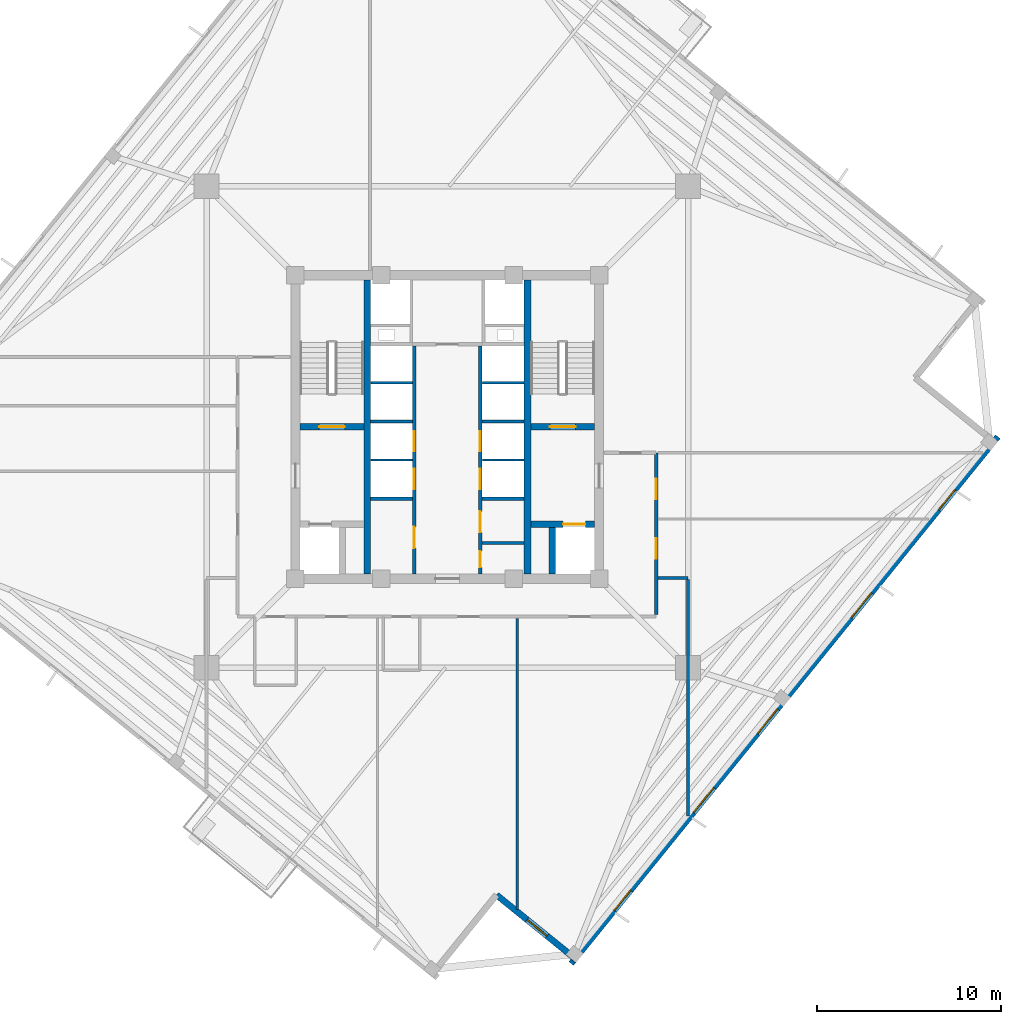
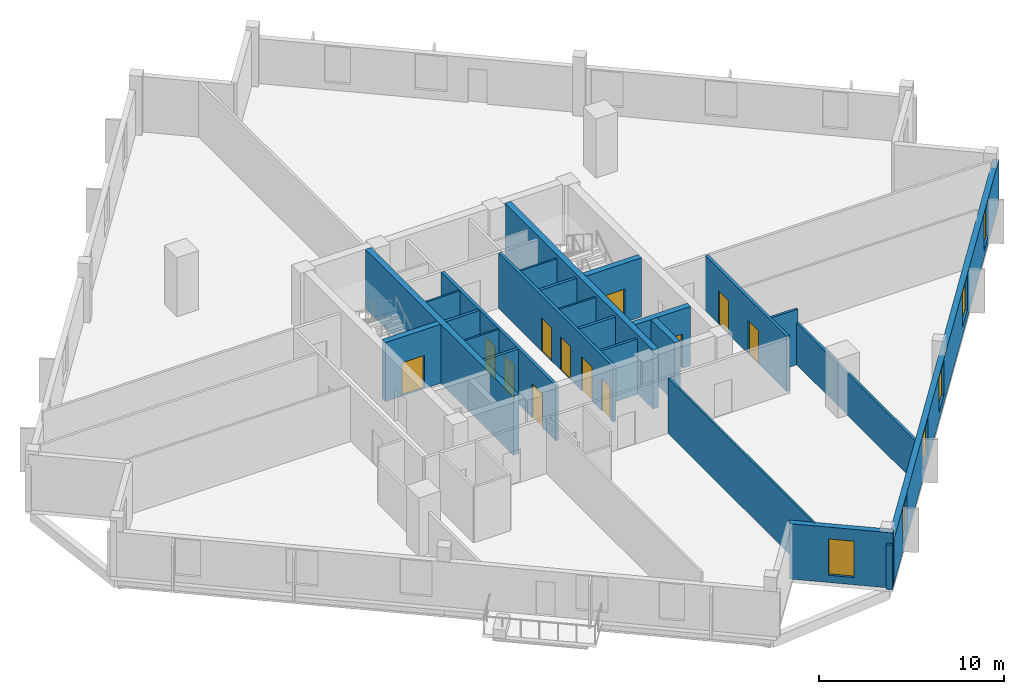
# One storey, part 4 of 10: 23 walls, 12 doors, 6 windows, 18 openings.
"""IFC4 building model written with IfcOpenShell, lengths in metres."""

from ifc_helpers import new_model, si_unit, direction, frame, frame_2d, origin, place, context, subcontext, project, spatial, rectangle, extrude, source, transform, mapped, material, layer, layer_set, type_object, element, fill, save


model = new_model("IFC4")

# Units and contexts
model_context = context("Model", 3, precision=1e-05, world=origin(), true_north=direction((0.0, 1.0)))
body_context = subcontext(model_context, "Body", "Model", "MODEL_VIEW")
ifc_project = project(units=[si_unit("LENGTHUNIT", "METRE"), si_unit("AREAUNIT", "SQUARE_METRE"), si_unit("VOLUMEUNIT", "CUBIC_METRE"), si_unit("PLANEANGLEUNIT", "RADIAN"), si_unit("MASSUNIT", "GRAM", prefix="KILO"), si_unit("THERMODYNAMICTEMPERATUREUNIT", "KELVIN")], contexts=[model_context])

# Site, building, storey
site_placement = place(None, origin())
site = spatial("IfcSite", under=ifc_project, at=site_placement, CompositionType="ELEMENT")
building_placement = place(site_placement, origin())
building = spatial("IfcBuilding", under=site, at=building_placement, Name="Kosmvard Interchange Tower", CompositionType="ELEMENT")
storey_placement = place(building_placement, frame((0.0, 0.0, 217.300048828125)))
storey = spatial("IfcBuildingStorey", under=building, at=storey_placement, Name="L52", CompositionType="ELEMENT", Elevation=217.300048828125)

# Walls
ifc_material_1 = material(Name="Acoustic gypsum partition system")
ifc_layer_1 = layer(ifc_material_1, 0.14990234375, Name="Acoustic gypsum partition system")
ifc_layer_set_1 = layer_set([ifc_layer_1], Name="Acoustic gypsum partition system")
wall_type_1 = type_object("IfcWallType", Name="Acoustic Suite & Meeting Partition 150", PredefinedType="PARTITIONING", material=ifc_layer_set_1)
wall_1_placement = place(storey_placement, frame((11.445068359375, -8.199951171875, 0.0), z_axis=(0.0, 0.0, 1.0), x_axis=(1.0, 0.0, 0.0)))
element("IfcWall", 1, at=wall_1_placement, inside=storey, type_object=wall_type_1, Name="L52 Room Partition 10.1", PredefinedType="PARTITIONING", context=body_context, shape_type="SweptSolid", body=[
    extrude(rectangle(XDim=1.635986328125, YDim=0.14990234375, at=frame_2d((0.81787109375, 0.0))), origin(), (0.0, 0.0, 1.0), 3.659912109375),
])
wall_2_placement = place(storey_placement, frame((13.0810546875, -8.27490234375, 0.0), z_axis=(0.0, 0.0, 1.0), x_axis=(0.0, -1.0, 0.0)))
element("IfcWall", 2, at=wall_2_placement, inside=storey, type_object=wall_type_1, Name="L52 Room Partition 11.1", PredefinedType="PARTITIONING", context=body_context, shape_type="SweptSolid", body=[
    extrude(rectangle(XDim=12.87353515625, YDim=0.14990234375, at=frame_2d((6.436767578125, 0.0))), origin(), (0.0, 0.0, 1.0), 2.760009765625),
])
ifc_material_2 = material(Name="Fire-rated gypsum partition system")
ifc_layer_2 = layer(ifc_material_2, 0.159912109375, Name="Fire-rated gypsum partition system")
ifc_layer_set_2 = layer_set([ifc_layer_2], Name="Fire-rated gypsum partition system")
wall_type_2 = type_object("IfcWallType", Name="Core Compartment & Shuttle Lobby Partition 160", PredefinedType="PARTITIONING", material=ifc_layer_set_2)
wall_3_placement = place(storey_placement, frame((1.889892578125, -6.300048828125, 0.0), z_axis=(0.0, 0.0, 1.0), x_axis=(1.0, 0.0, 0.0)))
element("IfcWall", 3, at=wall_3_placement, inside=storey, type_object=wall_type_2, Name="L52 Reclaimed Split E", PredefinedType="PARTITIONING", context=body_context, shape_type="SweptSolid", body=[
    extrude(rectangle(XDim=2.280029296875, YDim=0.159912109375, at=frame_2d((1.14013671875, 0.0))), origin(), (0.0, 0.0, 1.0), 3.659912109375),
])

# Wall, openings, doors
ifc_layer_3 = layer(ifc_material_2, 0.179931640625, Name="Fire-rated gypsum partition system")
ifc_layer_set_3 = layer_set([ifc_layer_3], Name="Fire-rated gypsum partition system")
wall_type_3 = type_object("IfcWallType", Name="Corridor & Hotel Compartment Partition 180", PredefinedType="PARTITIONING", material=ifc_layer_set_3)
wall_4_placement = place(storey_placement, frame((-1.7900390625, -7.97998046875, 0.0), z_axis=(0.0, 0.0, 1.0), x_axis=(0.0, 1.0, 0.0)))
wall_4 = element("IfcWall", 4, at=wall_4_placement, inside=storey, type_object=wall_type_3, Name="L52 West Lift Bank Front Wall", PredefinedType="PARTITIONING", context=body_context, shape_type="SweptSolid", body=[
    extrude(rectangle(XDim=12.3798828125, YDim=0.179931640625, at=frame_2d((6.18994140625, 0.0))), origin(), (0.0, 0.0, 1.0), 3.659912109375),
])
opening_1_placement = place(wall_4_placement, frame((4.60009765625, 0.0, 0.0)))
opening_1 = element("IfcOpeningElement", 5, at=opening_1_placement, cuts=wall_4, Name="Opening LD-PL-M1-L52", PredefinedType="OPENING", context=body_context, shape_type="SweptSolid", body=[
    extrude(rectangle(XDim=1.10009765625, YDim=2.199951171875, at=frame_2d((0.550048828125, 1.10009765625))), frame((0.0, 0.10009765625, 0.0), z_axis=(0.0, -1.0, 0.0), x_axis=(1.0, 0.0, 0.0)), (0.0, 0.0, 1.0), 0.199951171875),
])
opening_2_placement = place(wall_4_placement, frame((6.659912109375, 0.0, 0.0)))
opening_2 = element("IfcOpeningElement", 6, at=opening_2_placement, cuts=wall_4, Name="Opening LD-PL-M2-L52", PredefinedType="OPENING", context=body_context, shape_type="SweptSolid", body=[
    extrude(rectangle(XDim=1.10009765625, YDim=2.199951171875, at=frame_2d((0.550048828125, 1.10009765625))), frame((0.0, 0.10009765625, 0.0), z_axis=(0.0, -1.0, 0.0), x_axis=(1.0, 0.0, 0.0)), (0.0, 0.0, 1.0), 0.199951171875),
])
opening_3_placement = place(wall_4_placement, frame((1.39990234375, 0.0, 0.0)))
opening_3 = element("IfcOpeningElement", 7, at=opening_3_placement, cuts=wall_4, Name="Opening L52-CD1", PredefinedType="OPENING", context=body_context, shape_type="SweptSolid", body=[
    extrude(rectangle(XDim=1.14990234375, YDim=2.25, at=frame_2d((0.574951171875, 1.125))), frame((0.0, 0.10009765625, 0.0), z_axis=(0.0, -1.0, 0.0), x_axis=(1.0, 0.0, 0.0)), (0.0, 0.0, 1.0), 0.199951171875),
])
ifc_material_3 = material(Name="Painted fire-rated steel leaf", Category="steel")
door_type_1 = type_object("IfcDoorType", Name="Plant & Riser Fire Door 1150x2250 EI60", OperationType="NOTDEFINED", PredefinedType="DOOR", material=ifc_material_3)
shared_shape_1 = source(origin(), body_context, "Body", "SweptSolid", [
    extrude(rectangle(XDim=1.14990234375, YDim=2.25, at=frame_2d((0.574951171875, 1.125))), frame((0.0, 0.02490234375, 0.0), z_axis=(0.0, -1.0, 0.0), x_axis=(1.0, 0.0, 0.0)), (0.0, 0.0, 1.0), 0.050048828125),
])
door_1_placement = place(opening_3_placement, origin())
door_1 = element("IfcDoor", 8, at=door_1_placement, inside=storey, type_object=door_type_1, Name="L52 Core Server Door", OperationType="SINGLE_SWING_LEFT", OverallHeight=2.25, OverallWidth=1.14990234375, PredefinedType="DOOR", context=body_context, shape_type="MappedRepresentation", body=[
    mapped(shared_shape_1, transform((0.0, 0.0, 0.0), scale=1.0)),
])
fill(opening_3, door_1)
ifc_material_4 = material(Name="Brushed stainless steel sliding leaf", Category="steel")
door_type_2 = type_object("IfcDoorType", Name="Passenger Lift Sliding Landing Door 1100x2200 EI60", OperationType="DOUBLE_DOOR_SLIDING", PredefinedType="DOOR", material=ifc_material_4)
shared_shape_2 = source(origin(), body_context, "Body", "SweptSolid", [
    extrude(rectangle(XDim=1.10009765625, YDim=2.199951171875, at=frame_2d((0.550048828125, 1.10009765625))), frame((0.0, 0.02490234375, 0.0), z_axis=(0.0, -1.0, 0.0), x_axis=(1.0, 0.0, 0.0)), (0.0, 0.0, 1.0), 0.050048828125),
])
door_2_placement = place(opening_1_placement, frame((1.10009765625, 0.0, 0.0), z_axis=(0.0, 0.0, 1.0), x_axis=(-1.0, 0.0, 0.0)))
door_2 = element("IfcDoor", 9, at=door_2_placement, inside=storey, type_object=door_type_2, Name="Lift PL-M1 Landing Door L52", OperationType="DOUBLE_DOOR_SLIDING", OverallHeight=2.199951171875, OverallWidth=1.10009765625, PredefinedType="DOOR", context=body_context, shape_type="MappedRepresentation", body=[
    mapped(shared_shape_2, transform((0.0, 0.0, 0.0), scale=1.0)),
])
fill(opening_1, door_2)
door_3_placement = place(opening_2_placement, frame((1.10009765625, 0.0, 0.0), z_axis=(0.0, 0.0, 1.0), x_axis=(-1.0, 0.0, 0.0)))
door_3 = element("IfcDoor", 10, at=door_3_placement, inside=storey, type_object=door_type_2, Name="Lift PL-M2 Landing Door L52", OperationType="DOUBLE_DOOR_SLIDING", OverallHeight=2.199951171875, OverallWidth=1.10009765625, PredefinedType="DOOR", context=body_context, shape_type="MappedRepresentation", body=[
    mapped(shared_shape_2, transform((0.0, 0.0, 0.0), scale=1.0)),
])
fill(opening_2, door_3)

wall_5_placement = place(storey_placement, frame((1.7900390625, -7.97998046875, 0.0), z_axis=(0.0, 0.0, 1.0), x_axis=(0.0, 1.0, 0.0)))
wall_5 = element("IfcWall", 11, at=wall_5_placement, inside=storey, type_object=wall_type_3, Name="L52 East Lift Bank Front Wall", PredefinedType="PARTITIONING", context=body_context, shape_type="SweptSolid", body=[
    extrude(rectangle(XDim=12.3798828125, YDim=0.179931640625, at=frame_2d((6.18994140625, 0.0))), origin(), (0.0, 0.0, 1.0), 3.659912109375),
])
opening_4_placement = place(wall_5_placement, frame((4.60009765625, 0.0, 0.0)))
opening_4 = element("IfcOpeningElement", 12, at=opening_4_placement, cuts=wall_5, Name="Opening LD-PL-M3-L52", PredefinedType="OPENING", context=body_context, shape_type="SweptSolid", body=[
    extrude(rectangle(XDim=1.10009765625, YDim=2.199951171875, at=frame_2d((0.550048828125, 1.10009765625))), frame((0.0, 0.10009765625, 0.0), z_axis=(0.0, -1.0, 0.0), x_axis=(1.0, 0.0, 0.0)), (0.0, 0.0, 1.0), 0.199951171875),
])
opening_5_placement = place(wall_5_placement, frame((6.659912109375, 0.0, 0.0)))
opening_5 = element("IfcOpeningElement", 13, at=opening_5_placement, cuts=wall_5, Name="Opening LD-PL-M4-L52", PredefinedType="OPENING", context=body_context, shape_type="SweptSolid", body=[
    extrude(rectangle(XDim=1.10009765625, YDim=2.199951171875, at=frame_2d((0.550048828125, 1.10009765625))), frame((0.0, 0.10009765625, 0.0), z_axis=(0.0, -1.0, 0.0), x_axis=(1.0, 0.0, 0.0)), (0.0, 0.0, 1.0), 0.199951171875),
])
opening_6_placement = place(wall_5_placement, frame((0.35009765625, 0.0, 0.0)))
opening_6 = element("IfcOpeningElement", 14, at=opening_6_placement, cuts=wall_5, Name="Opening L52-CD2", PredefinedType="OPENING", context=body_context, shape_type="SweptSolid", body=[
    extrude(rectangle(XDim=0.8798828125, YDim=2.10009765625, at=frame_2d((0.43994140625, 1.050048828125))), frame((0.0, 0.10009765625, 0.0), z_axis=(0.0, -1.0, 0.0), x_axis=(1.0, 0.0, 0.0)), (0.0, 0.0, 1.0), 0.199951171875),
])
opening_7_placement = place(wall_5_placement, frame((2.25, 0.0, 0.0)))
opening_7 = element("IfcOpeningElement", 15, at=opening_7_placement, cuts=wall_5, Name="Opening L52-CD3", PredefinedType="OPENING", context=body_context, shape_type="SweptSolid", body=[
    extrude(rectangle(XDim=1.14990234375, YDim=2.25, at=frame_2d((0.574951171875, 1.125))), frame((0.0, 0.10009765625, 0.0), z_axis=(0.0, -1.0, 0.0), x_axis=(1.0, 0.0, 0.0)), (0.0, 0.0, 1.0), 0.199951171875),
])
door_4_placement = place(opening_7_placement, frame((1.14990234375, 0.0, 0.0), z_axis=(0.0, 0.0, 1.0), x_axis=(-1.0, 0.0, 0.0)))
door_4 = element("IfcDoor", 16, at=door_4_placement, inside=storey, type_object=door_type_1, Name="L52 Core Pantry Door", OperationType="SINGLE_SWING_LEFT", OverallHeight=2.25, OverallWidth=1.14990234375, PredefinedType="DOOR", context=body_context, shape_type="MappedRepresentation", body=[
    mapped(shared_shape_1, transform((0.0, 0.0, 0.0), scale=1.0)),
])
fill(opening_7, door_4)
door_5_placement = place(opening_4_placement, origin())
door_5 = element("IfcDoor", 17, at=door_5_placement, inside=storey, type_object=door_type_2, Name="Lift PL-M3 Landing Door L52", OperationType="DOUBLE_DOOR_SLIDING", OverallHeight=2.199951171875, OverallWidth=1.10009765625, PredefinedType="DOOR", context=body_context, shape_type="MappedRepresentation", body=[
    mapped(shared_shape_2, transform((0.0, 0.0, 0.0), scale=1.0)),
])
fill(opening_4, door_5)
door_6_placement = place(opening_5_placement, origin())
door_6 = element("IfcDoor", 18, at=door_6_placement, inside=storey, type_object=door_type_2, Name="Lift PL-M4 Landing Door L52", OperationType="DOUBLE_DOOR_SLIDING", OverallHeight=2.199951171875, OverallWidth=1.10009765625, PredefinedType="DOOR", context=body_context, shape_type="MappedRepresentation", body=[
    mapped(shared_shape_2, transform((0.0, 0.0, 0.0), scale=1.0)),
])
fill(opening_5, door_6)
ifc_material_5 = material(Name="Painted fire-rated timber leaf", Category="wood")
door_type_3 = type_object("IfcDoorType", Name="Core Cupboard Fire Door 880x2100 EI30", OperationType="NOTDEFINED", PredefinedType="DOOR", material=ifc_material_5)
shared_shape_3 = source(origin(), body_context, "Body", "SweptSolid", [
    extrude(rectangle(XDim=0.8798828125, YDim=2.10009765625, at=frame_2d((0.43994140625, 1.050048828125))), frame((0.0, 0.02490234375, 0.0), z_axis=(0.0, -1.0, 0.0), x_axis=(1.0, 0.0, 0.0)), (0.0, 0.0, 1.0), 0.050048828125),
])
door_7_placement = place(opening_6_placement, frame((0.8798828125, 0.0, 0.0), z_axis=(0.0, 0.0, 1.0), x_axis=(-1.0, 0.0, 0.0)))
door_7 = element("IfcDoor", 19, at=door_7_placement, inside=storey, type_object=door_type_3, Name="L52 Core Cleaner Door", OperationType="SINGLE_SWING_RIGHT", OverallHeight=2.10009765625, OverallWidth=0.8798828125, PredefinedType="DOOR", context=body_context, shape_type="MappedRepresentation", body=[
    mapped(shared_shape_3, transform((0.0, 0.0, 0.0), scale=1.0)),
])
fill(opening_6, door_7)

wall_6_placement = place(storey_placement, frame((11.35009765625, -10.199951171875, 0.0), z_axis=(0.0, 0.0, 1.0), x_axis=(0.0, 1.0, 0.0)))
wall_6 = element("IfcWall", 20, at=wall_6_placement, inside=storey, type_object=wall_type_3, Name="L52 Corridor Wall CE", PredefinedType="PARTITIONING", context=body_context, shape_type="SweptSolid", body=[
    extrude(rectangle(XDim=8.800048828125, YDim=0.179931640625, at=frame_2d((4.39990234375, 0.0))), origin(), (0.0, 0.0, 1.0), 3.659912109375),
])
opening_8_placement = place(wall_6_placement, frame((3.050048828125, 0.0, 0.0)))
opening_8 = element("IfcOpeningElement", 21, at=opening_8_placement, cuts=wall_6, Name="Opening L52-D11", PredefinedType="OPENING", context=body_context, shape_type="SweptSolid", body=[
    extrude(rectangle(XDim=1.10009765625, YDim=2.199951171875, at=frame_2d((0.550048828125, 1.10009765625))), frame((0.0, 0.10009765625, 0.0), z_axis=(0.0, -1.0, 0.0), x_axis=(1.0, 0.0, 0.0)), (0.0, 0.0, 1.0), 0.199951171875),
])
opening_9_placement = place(wall_6_placement, frame((6.28564453125, 0.0, 0.0)))
opening_9 = element("IfcOpeningElement", 22, at=opening_9_placement, cuts=wall_6, Name="Opening L52-D12", PredefinedType="OPENING", context=body_context, shape_type="SweptSolid", body=[
    extrude(rectangle(XDim=1.10009765625, YDim=2.199951171875, at=frame_2d((0.550048828125, 1.10009765625))), frame((0.0, 0.10009765625, 0.0), z_axis=(0.0, -1.0, 0.0), x_axis=(1.0, 0.0, 0.0)), (0.0, 0.0, 1.0), 0.199951171875),
])
ifc_material_6 = material(Name="Engineered oak fire-rated timber", Category="wood")
door_type_4 = type_object("IfcDoorType", Name="Office Suite Entrance Door 1100x2200 FD30S", OperationType="NOTDEFINED", PredefinedType="DOOR", material=ifc_material_6)
door_8_placement = place(opening_8_placement, frame((1.10009765625, 0.0, 0.0), z_axis=(0.0, 0.0, 1.0), x_axis=(-1.0, 0.0, 0.0)))
door_8 = element("IfcDoor", 23, at=door_8_placement, inside=storey, type_object=door_type_4, Name="L52 Wealth Director Office 1 Door", OperationType="SINGLE_SWING_LEFT", OverallHeight=2.199951171875, OverallWidth=1.10009765625, PredefinedType="DOOR", context=body_context, shape_type="MappedRepresentation", body=[
    mapped(shared_shape_2, transform((0.0, 0.0, 0.0), scale=1.0)),
])
fill(opening_8, door_8)
door_9_placement = place(opening_9_placement, frame((1.10009765625, 0.0, 0.0), z_axis=(0.0, 0.0, 1.0), x_axis=(-1.0, 0.0, 0.0)))
door_9 = element("IfcDoor", 24, at=door_9_placement, inside=storey, type_object=door_type_4, Name="L52 Private Banker Office 2 Door", OperationType="SINGLE_SWING_RIGHT", OverallHeight=2.199951171875, OverallWidth=1.10009765625, PredefinedType="DOOR", context=body_context, shape_type="MappedRepresentation", body=[
    mapped(shared_shape_2, transform((0.0, 0.0, 0.0), scale=1.0)),
])
fill(opening_9, door_9)

# Wall, openings, windows
ifc_material_7 = material(Name="Precast concrete C45/55", Category="concrete")
ifc_layer_4 = layer(ifc_material_7, 0.340087890625, Name="Precast concrete C45/55")
ifc_layer_set_4 = layer_set([ifc_layer_4], Name="Precast concrete C45/55")
wall_type_4 = type_object("IfcWallType", Name="Mid Tower Precast Pier Wall 340 C45/55", PredefinedType="STANDARD", material=ifc_layer_set_4)
wall_7_placement = place(storey_placement, frame((6.73291015625, -29.154296875, 0.0), z_axis=(0.0, 0.0, 1.0), x_axis=(0.629325378072, 0.77714192302, 0.0)))
wall_7 = element("IfcWall", 25, at=wall_7_placement, inside=storey, type_object=wall_type_4, Name="L52 Precast Facade Wall F-S", PredefinedType="STANDARD", context=body_context, shape_type="SweptSolid", body=[
    extrude(rectangle(XDim=36.840087890625, YDim=0.340087890625, at=frame_2d((18.419921875, 0.0))), origin(), (0.0, 0.0, 1.0), 2.9599609375),
])
opening_10_placement = place(wall_7_placement, frame((3.720703125, 0.0, 0.47998046875)))
opening_10 = element("IfcOpeningElement", 26, at=opening_10_placement, cuts=wall_7, Name="Opening L52-W01", PredefinedType="OPENING", context=body_context, shape_type="SweptSolid", body=[
    extrude(rectangle(XDim=1.39990234375, YDim=2.39990234375, at=frame_2d((0.699951171875, 1.199951171875))), frame((0.0, 0.18017578125, 0.0), z_axis=(0.0, -1.0, 0.0), x_axis=(1.0, 0.0, 0.0)), (0.0, 0.0, 1.0), 0.360107421875),
])
opening_11_placement = place(wall_7_placement, frame((10.55859375, 0.0, 0.580078125)))
opening_11 = element("IfcOpeningElement", 27, at=opening_11_placement, cuts=wall_7, Name="Opening L52-W02", PredefinedType="OPENING", context=body_context, shape_type="SweptSolid", body=[
    extrude(rectangle(XDim=1.75, YDim=2.300048828125, at=frame_2d((0.875, 1.14990234375))), frame((0.0, 0.18017578125, 0.0), z_axis=(0.0, -1.0, 0.0), x_axis=(1.0, 0.0, 0.0)), (0.0, 0.0, 1.0), 0.360107421875),
])
opening_12_placement = place(wall_7_placement, frame((16.05810546875, 0.0, 0.580078125)))
opening_12 = element("IfcOpeningElement", 28, at=opening_12_placement, cuts=wall_7, Name="Opening L52-W03", PredefinedType="OPENING", context=body_context, shape_type="SweptSolid", body=[
    extrude(rectangle(XDim=1.75, YDim=2.300048828125, at=frame_2d((0.875, 1.14990234375))), frame((0.0, 0.18017578125, 0.0), z_axis=(0.0, -1.0, 0.0), x_axis=(1.0, 0.0, 0.0)), (0.0, 0.0, 1.0), 0.360107421875),
])
opening_13_placement = place(wall_7_placement, frame((24.17626953125, 0.0, 0.580078125)))
opening_13 = element("IfcOpeningElement", 29, at=opening_13_placement, cuts=wall_7, Name="Opening L52-W04", PredefinedType="OPENING", context=body_context, shape_type="SweptSolid", body=[
    extrude(rectangle(XDim=1.75, YDim=2.300048828125, at=frame_2d((0.875, 1.14990234375))), frame((0.0, 0.18017578125, 0.0), z_axis=(0.0, -1.0, 0.0), x_axis=(1.0, 0.0, 0.0)), (0.0, 0.0, 1.0), 0.360107421875),
])
opening_14_placement = place(wall_7_placement, frame((31.732421875, 0.0, 0.47998046875)))
opening_14 = element("IfcOpeningElement", 30, at=opening_14_placement, cuts=wall_7, Name="Opening L52-W05", PredefinedType="OPENING", context=body_context, shape_type="SweptSolid", body=[
    extrude(rectangle(XDim=1.39990234375, YDim=2.39990234375, at=frame_2d((0.699951171875, 1.199951171875))), frame((0.0, 0.18017578125, 0.0), z_axis=(0.0, -1.0, 0.0), x_axis=(1.0, 0.0, 0.0)), (0.0, 0.0, 1.0), 0.360107421875),
])
ifc_material_8 = material(Name="Low-E solar-control double glazing", Category="glass")
window_type_1 = type_object("IfcWindowType", Name="Notched Corner Feature Window 1400x2400", PartitioningType="SINGLE_PANEL", PredefinedType="WINDOW", material=ifc_material_8)
shared_shape_4 = source(origin(), body_context, "Body", "SweptSolid", [
    extrude(rectangle(XDim=1.39990234375, YDim=2.39990234375, at=frame_2d((0.699951171875, 1.199951171875))), frame((0.0, 0.030029296875, 0.0), z_axis=(0.0, -1.0, 0.0), x_axis=(1.0, 0.0, 0.0)), (0.0, 0.0, 1.0), 0.06005859375),
])
window_1_placement = place(opening_10_placement, origin())
window_1 = element("IfcWindow", 31, at=window_1_placement, inside=storey, type_object=window_type_1, Name="L52 Facade Punched Window 01", OverallHeight=2.39990234375, OverallWidth=1.39990234375, PartitioningType="SINGLE_PANEL", PredefinedType="WINDOW", context=body_context, shape_type="MappedRepresentation", body=[
    mapped(shared_shape_4, transform((0.0, 0.0, 0.0), scale=1.0)),
])
fill(opening_10, window_1)
window_2_placement = place(opening_14_placement, origin())
window_2 = element("IfcWindow", 32, at=window_2_placement, inside=storey, type_object=window_type_1, Name="L52 Facade Punched Window 05", OverallHeight=2.39990234375, OverallWidth=1.39990234375, PartitioningType="SINGLE_PANEL", PredefinedType="WINDOW", context=body_context, shape_type="MappedRepresentation", body=[
    mapped(shared_shape_4, transform((0.0, 0.0, 0.0), scale=1.0)),
])
fill(opening_14, window_2)
window_type_2 = type_object("IfcWindowType", Name="Zone 4 Suite Punched Window 1750x2300", PartitioningType="SINGLE_PANEL", PredefinedType="WINDOW", material=ifc_material_8)
shared_shape_5 = source(origin(), body_context, "Body", "SweptSolid", [
    extrude(rectangle(XDim=1.75, YDim=2.300048828125, at=frame_2d((0.875, 1.14990234375))), frame((0.0, 0.030029296875, 0.0), z_axis=(0.0, -1.0, 0.0), x_axis=(1.0, 0.0, 0.0)), (0.0, 0.0, 1.0), 0.06005859375),
])
window_3_placement = place(opening_11_placement, origin())
window_3 = element("IfcWindow", 33, at=window_3_placement, inside=storey, type_object=window_type_2, Name="L52 Facade Punched Window 02", OverallHeight=2.300048828125, OverallWidth=1.75, PartitioningType="SINGLE_PANEL", PredefinedType="WINDOW", context=body_context, shape_type="MappedRepresentation", body=[
    mapped(shared_shape_5, transform((0.0, 0.0, 0.0), scale=1.0)),
])
fill(opening_11, window_3)
window_4_placement = place(opening_12_placement, origin())
window_4 = element("IfcWindow", 34, at=window_4_placement, inside=storey, type_object=window_type_2, Name="L52 Facade Punched Window 03", OverallHeight=2.300048828125, OverallWidth=1.75, PartitioningType="SINGLE_PANEL", PredefinedType="WINDOW", context=body_context, shape_type="MappedRepresentation", body=[
    mapped(shared_shape_5, transform((0.0, 0.0, 0.0), scale=1.0)),
])
fill(opening_12, window_4)
window_5_placement = place(opening_13_placement, origin())
window_5 = element("IfcWindow", 35, at=window_5_placement, inside=storey, type_object=window_type_2, Name="L52 Facade Punched Window 04", OverallHeight=2.300048828125, OverallWidth=1.75, PartitioningType="SINGLE_PANEL", PredefinedType="WINDOW", context=body_context, shape_type="MappedRepresentation", body=[
    mapped(shared_shape_5, transform((0.0, 0.0, 0.0), scale=1.0)),
])
fill(opening_13, window_5)

# Wall, opening, window
wall_8_placement = place(storey_placement, frame((2.672607421875, -25.428955078125, 0.0), z_axis=(0.0, 0.0, 1.0), x_axis=(0.777162640055, -0.629299794138, 0.0)))
wall_8 = element("IfcWall", 36, at=wall_8_placement, inside=storey, type_object=wall_type_4, Name="L52 Precast Facade Wall N-SW2", PredefinedType="STANDARD", context=body_context, shape_type="SweptSolid", body=[
    extrude(rectangle(XDim=5.669921875, YDim=0.340087890625, at=frame_2d((2.8349609375, 0.0))), origin(), (0.0, 0.0, 1.0), 3.659912109375),
])
opening_15_placement = place(wall_8_placement, frame((2.135009765625, 0.0, 0.47998046875)))
opening_15 = element("IfcOpeningElement", 37, at=opening_15_placement, cuts=wall_8, Name="Opening L52-W23", PredefinedType="OPENING", context=body_context, shape_type="SweptSolid", body=[
    extrude(rectangle(XDim=1.39990234375, YDim=2.39990234375, at=frame_2d((0.699951171875, 1.199951171875))), frame((0.0, 0.18017578125, 0.0), z_axis=(0.0, -1.0, 0.0), x_axis=(1.0, 0.0, 0.0)), (0.0, 0.0, 1.0), 0.360107421875),
])
window_6_placement = place(opening_15_placement, origin())
window_6 = element("IfcWindow", 38, at=window_6_placement, inside=storey, type_object=window_type_1, Name="L52 Corner Notch Window 23", OverallHeight=2.39990234375, OverallWidth=1.39990234375, PartitioningType="SINGLE_PANEL", PredefinedType="WINDOW", context=body_context, shape_type="MappedRepresentation", body=[
    mapped(shared_shape_4, transform((0.0, 0.0, 0.0), scale=1.0)),
])
fill(opening_15, window_6)

# Walls
ifc_material_9 = material(Name="Gypsum board partition system")
ifc_layer_5 = layer(ifc_material_9, 0.1201171875, Name="Gypsum board partition system")
ifc_layer_set_5 = layer_set([ifc_layer_5], Name="Gypsum board partition system")
wall_type_5 = type_object("IfcWallType", Name="Office Cellular Partition 120", PredefinedType="PARTITIONING", material=ifc_layer_set_5)
wall_9_placement = place(storey_placement, frame((3.800048828125, -26.206787109375, 0.0), z_axis=(0.0, 0.0, 1.0), x_axis=(0.0, 1.0, 0.0)))
element("IfcWall", 39, at=wall_9_placement, inside=storey, type_object=wall_type_5, Name="L52 Room Partition 09.1", PredefinedType="PARTITIONING", context=body_context, shape_type="SweptSolid", body=[
    extrude(rectangle(XDim=15.811767578125, YDim=0.1201171875, at=frame_2d((7.90576171875, 0.0))), origin(), (0.0, 0.0, 1.0), 3.659912109375),
])
ifc_material_10 = material(Name="Concrete blockwork masonry", Category="masonry")
ifc_layer_6 = layer(ifc_material_10, 0.179931640625, Name="Concrete blockwork masonry")
ifc_layer_set_6 = layer_set([ifc_layer_6], Name="Concrete blockwork masonry")
wall_type_6 = type_object("IfcWallType", Name="Riser & Lift Bank Divider Wall 180", PredefinedType="PARTITIONING", material=ifc_layer_set_6)
for number, where, z_axis, x_axis, name in (
    (40, (-4.169921875, -3.89990234375, 0.0), (0.0, 0.0, 1.0), (1.0, 0.0, 0.0), "L52 West Bank Divider BD1"),
    (41, (1.889892578125, -3.89990234375, 0.0), (0.0, 0.0, 1.0), (1.0, 0.0, 0.0), "L52 East Bank Divider BD1"),
    (42, (-4.169921875, 0.300048828125, 0.0), (0.0, 0.0, 1.0), (1.0, 0.0, 0.0), "L52 West Bank Divider BD2"),
    (43, (1.889892578125, 0.300048828125, 0.0), (0.0, 0.0, 1.0), (1.0, 0.0, 0.0), "L52 East Bank Divider BD2"),
):
    element("IfcWall", number, at=place(storey_placement, frame(where, z_axis=z_axis, x_axis=x_axis)), inside=storey, type_object=wall_type_6, Name=name, PredefinedType="PARTITIONING", context=body_context, shape_type="SweptSolid", body=[
        extrude(rectangle(XDim=2.280029296875, YDim=0.179931640625, at=frame_2d((1.14013671875, 0.0))), origin(), (0.0, 0.0, 1.0), 3.659912109375),
    ])
ifc_material_11 = material(Name="Fire-rated gypsum shaftwall system")
ifc_layer_7 = layer(ifc_material_11, 0.1201171875, Name="Fire-rated gypsum shaftwall system")
ifc_layer_set_7 = layer_set([ifc_layer_7], Name="Fire-rated gypsum shaftwall system")
wall_type_7 = type_object("IfcWallType", Name="Shaft & Riser Fire Partition 120 EI60", PredefinedType="PARTITIONING", material=ifc_layer_set_7)
for number, where, z_axis, x_axis, name in (
    (44, (-4.159912109375, -1.800048828125, 0.0), (0.0, 0.0, 1.0), (1.0, 0.0, 0.0), "L52 Shaft Divider PL-M1"),
    (45, (1.89990234375, -1.800048828125, 0.0), (0.0, 0.0, 1.0), (1.0, 0.0, 0.0), "L52 Shaft Divider PL-M3"),
    (46, (-4.159912109375, 2.39990234375, 0.0), (0.0, 0.0, 1.0), (1.0, 0.0, 0.0), "L52 Shaft Divider PL-H1"),
    (47, (1.89990234375, 2.39990234375, 0.0), (0.0, 0.0, 1.0), (1.0, 0.0, 0.0), "L52 Shaft Divider PL-H3"),
):
    element("IfcWall", number, at=place(storey_placement, frame(where, z_axis=z_axis, x_axis=x_axis)), inside=storey, type_object=wall_type_7, Name=name, PredefinedType="PARTITIONING", context=body_context, shape_type="SweptSolid", body=[
        extrude(rectangle(XDim=2.260009765625, YDim=0.1201171875, at=frame_2d((1.1298828125, 0.0))), origin(), (0.0, 0.0, 1.0), 3.659912109375),
    ])
ifc_material_12 = material(Name="Concrete C60/75", Category="concrete")
ifc_layer_8 = layer(ifc_material_12, 0.360107421875, Name="Concrete C60/75")
ifc_layer_set_8 = layer_set([ifc_layer_8], Name="Concrete C60/75")
wall_type_8 = type_object("IfcWallType", Name="Stair & Lift Shaft Shear Wall 360 C60/75", PredefinedType="SHEAR", material=ifc_layer_set_8)
for number, where, z_axis, x_axis, name in (
    (48, (-4.360107421875, -8.0, 0.0), (0.0, 0.0, 1.0), (0.0, 1.0, 0.0), "L52 Shaft Shear Wall SW-W"),
    (49, (4.360107421875, -8.0, 0.0), (0.0, 0.0, 1.0), (0.0, 1.0, 0.0), "L52 Shaft Shear Wall SW-E"),
):
    element("IfcWall", number, at=place(storey_placement, frame(where, z_axis=z_axis, x_axis=x_axis)), inside=storey, type_object=wall_type_8, Name=name, PredefinedType="SHEAR", context=body_context, shape_type="SweptSolid", body=[
        extrude(rectangle(XDim=16.0, YDim=0.360107421875, at=frame_2d((8.0, 0.0))), origin(), (0.0, 0.0, 1.0), 3.89990234375),
    ])

# Wall, opening, door
wall_10_placement = place(storey_placement, frame((-8.0, 0.02001953125, 0.0), z_axis=(0.0, 0.0, 1.0), x_axis=(1.0, 0.0, 0.0)))
wall_10 = element("IfcWall", 50, at=wall_10_placement, inside=storey, type_object=wall_type_8, Name="L52 Shaft Shear Wall SW-ST1", PredefinedType="SHEAR", context=body_context, shape_type="SweptSolid", body=[
    extrude(rectangle(XDim=3.4599609375, YDim=0.360107421875, at=frame_2d((1.72998046875, 0.0))), origin(), (0.0, 0.0, 1.0), 3.89990234375),
])
opening_16_placement = place(wall_10_placement, frame((1.030029296875, 0.0, 0.0)))
opening_16 = element("IfcOpeningElement", 51, at=opening_16_placement, cuts=wall_10, Name="Opening L52-SD1", PredefinedType="OPENING", context=body_context, shape_type="SweptSolid", body=[
    extrude(rectangle(XDim=1.39990234375, YDim=2.199951171875, at=frame_2d((0.699951171875, 1.10009765625))), frame((0.0, 0.18994140625, 0.0), z_axis=(0.0, -1.0, 0.0), x_axis=(1.0, 0.0, 0.0)), (0.0, 0.0, 1.0), 0.380126953125),
])
door_type_5 = type_object("IfcDoorType", Name="Protected Stair Door 1400x2200 FD60S", OperationType="NOTDEFINED", PredefinedType="DOOR", material=ifc_material_3)
shared_shape_6 = source(origin(), body_context, "Body", "SweptSolid", [
    extrude(rectangle(XDim=1.39990234375, YDim=2.199951171875, at=frame_2d((0.699951171875, 1.10009765625))), frame((0.0, 0.02490234375, 0.0), z_axis=(0.0, -1.0, 0.0), x_axis=(1.0, 0.0, 0.0)), (0.0, 0.0, 1.0), 0.050048828125),
])
door_10_placement = place(opening_16_placement, origin())
door_10 = element("IfcDoor", 52, at=door_10_placement, inside=storey, type_object=door_type_5, Name="L52 Stair ST-1 Enclosure Door", OperationType="SINGLE_SWING_LEFT", OverallHeight=2.199951171875, OverallWidth=1.39990234375, PredefinedType="DOOR", context=body_context, shape_type="MappedRepresentation", body=[
    mapped(shared_shape_6, transform((0.0, 0.0, 0.0), scale=1.0)),
])
fill(opening_16, door_10)

wall_11_placement = place(storey_placement, frame((4.5400390625, 0.02001953125, 0.0), z_axis=(0.0, 0.0, 1.0), x_axis=(1.0, 0.0, 0.0)))
wall_11 = element("IfcWall", 53, at=wall_11_placement, inside=storey, type_object=wall_type_8, Name="L52 Shaft Shear Wall SW-ST2", PredefinedType="SHEAR", context=body_context, shape_type="SweptSolid", body=[
    extrude(rectangle(XDim=3.4599609375, YDim=0.360107421875, at=frame_2d((1.72998046875, 0.0))), origin(), (0.0, 0.0, 1.0), 3.89990234375),
])
opening_17_placement = place(wall_11_placement, frame((1.030029296875, 0.0, 0.0)))
opening_17 = element("IfcOpeningElement", 54, at=opening_17_placement, cuts=wall_11, Name="Opening L52-SD2", PredefinedType="OPENING", context=body_context, shape_type="SweptSolid", body=[
    extrude(rectangle(XDim=1.39990234375, YDim=2.199951171875, at=frame_2d((0.699951171875, 1.10009765625))), frame((0.0, 0.18994140625, 0.0), z_axis=(0.0, -1.0, 0.0), x_axis=(1.0, 0.0, 0.0)), (0.0, 0.0, 1.0), 0.380126953125),
])
door_11_placement = place(opening_17_placement, origin())
door_11 = element("IfcDoor", 55, at=door_11_placement, inside=storey, type_object=door_type_5, Name="L52 Stair ST-2 Enclosure Door", OperationType="SINGLE_SWING_RIGHT", OverallHeight=2.199951171875, OverallWidth=1.39990234375, PredefinedType="DOOR", context=body_context, shape_type="MappedRepresentation", body=[
    mapped(shared_shape_6, transform((0.0, 0.0, 0.0), scale=1.0)),
])
fill(opening_17, door_11)

wall_12_placement = place(storey_placement, frame((4.5400390625, -5.280029296875, 0.0), z_axis=(0.0, 0.0, 1.0), x_axis=(1.0, 0.0, 0.0)))
wall_12 = element("IfcWall", 56, at=wall_12_placement, inside=storey, type_object=wall_type_8, Name="L52 Shaft Shear Wall SW-FF2", PredefinedType="SHEAR", context=body_context, shape_type="SweptSolid", body=[
    extrude(rectangle(XDim=3.4599609375, YDim=0.360107421875, at=frame_2d((1.72998046875, 0.0))), origin(), (0.0, 0.0, 1.0), 3.89990234375),
])
opening_18_placement = place(wall_12_placement, frame((1.760009765625, 0.0, 0.0)))
opening_18 = element("IfcOpeningElement", 57, at=opening_18_placement, cuts=wall_12, Name="Opening LD-FF-2-L52", PredefinedType="OPENING", context=body_context, shape_type="SweptSolid", body=[
    extrude(rectangle(XDim=1.199951171875, YDim=2.25, at=frame_2d((0.60009765625, 1.125))), frame((0.0, 0.18994140625, 0.0), z_axis=(0.0, -1.0, 0.0), x_axis=(1.0, 0.0, 0.0)), (0.0, 0.0, 1.0), 0.380126953125),
])
door_type_6 = type_object("IfcDoorType", Name="Firefighting Lift Sliding Landing Door 1200x2250 EI120", OperationType="DOUBLE_DOOR_SLIDING", PredefinedType="DOOR", material=ifc_material_4)
shared_shape_7 = source(origin(), body_context, "Body", "SweptSolid", [
    extrude(rectangle(XDim=1.199951171875, YDim=2.25, at=frame_2d((0.60009765625, 1.125))), frame((0.0, 0.02490234375, 0.0), z_axis=(0.0, -1.0, 0.0), x_axis=(1.0, 0.0, 0.0)), (0.0, 0.0, 1.0), 0.050048828125),
])
door_12_placement = place(opening_18_placement, origin())
door_12 = element("IfcDoor", 58, at=door_12_placement, inside=storey, type_object=door_type_6, Name="Lift FF-2 Landing Door L52", OperationType="DOUBLE_DOOR_SLIDING", OverallHeight=2.25, OverallWidth=1.199951171875, PredefinedType="DOOR", context=body_context, shape_type="MappedRepresentation", body=[
    mapped(shared_shape_7, transform((0.0, 0.0, 0.0), scale=1.0)),
])
fill(opening_18, door_12)

# Wall
wall_13_placement = place(storey_placement, frame((5.7099609375, -8.0, 0.0), z_axis=(0.0, 0.0, 1.0), x_axis=(0.0, 1.0, 0.0)))
element("IfcWall", 59, at=wall_13_placement, inside=storey, type_object=wall_type_8, Name="L52 Shaft Shear Wall SW-SM2", PredefinedType="SHEAR", context=body_context, shape_type="SweptSolid", body=[
    extrude(rectangle(XDim=2.5400390625, YDim=0.360107421875, at=frame_2d((1.27001953125, 0.0))), origin(), (0.0, 0.0, 1.0), 3.89990234375),
])

save(model, "model.ifc")
